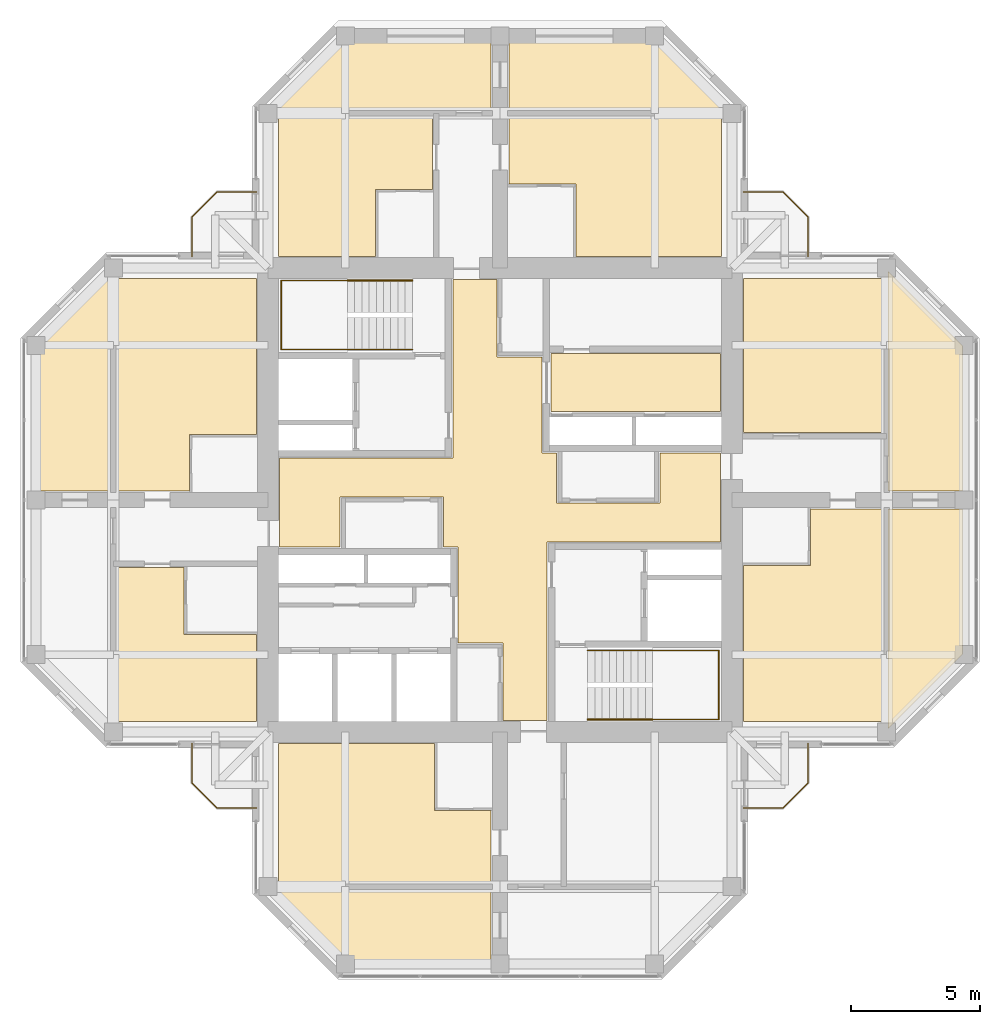
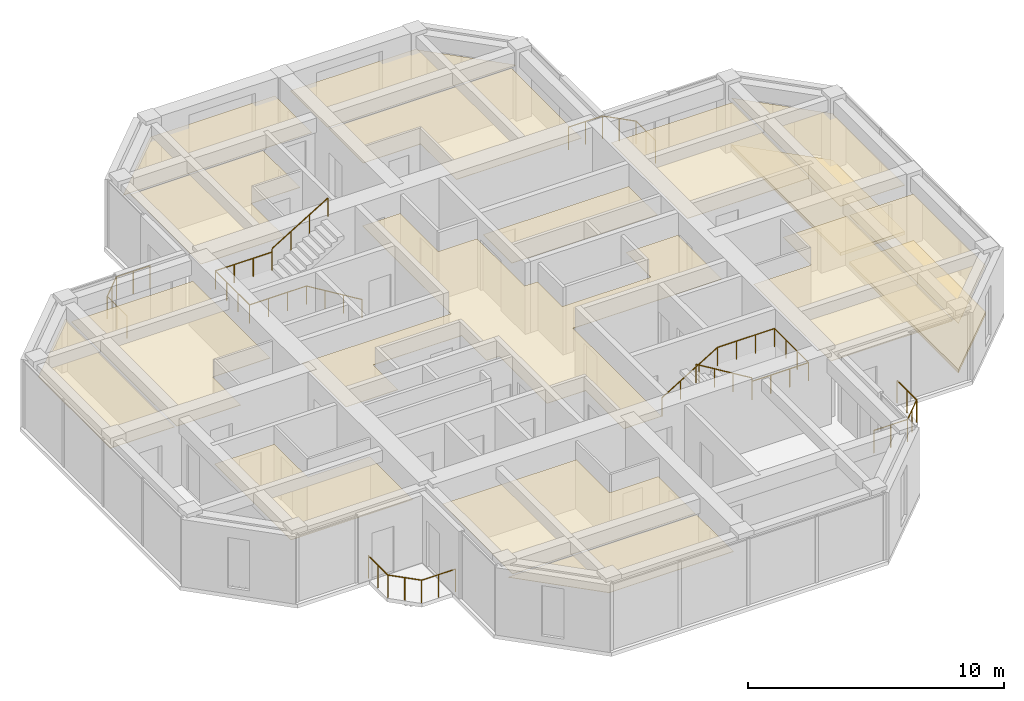
# One storey, part 13 of 13: 17 coverings, 8 railings.
"""IFC4 building model written with IfcOpenShell, lengths in metres."""

from ifc_helpers import new_model, si_unit, direction, frame, origin, origin_2d, place, context, subcontext, project, spatial, polyline, circle, outline, extrude, material, layer, layer_set, constituent, constituent_set, type_object, element, save


model = new_model("IFC4")

# Units and contexts
model_context = context("Model", 3, precision=1e-05, world=origin(), true_north=direction((0.0, 1.0)))
body_context = subcontext(model_context, "Body", "Model", "MODEL_VIEW")
ifc_project = project(units=[si_unit("LENGTHUNIT", "METRE"), si_unit("AREAUNIT", "SQUARE_METRE"), si_unit("VOLUMEUNIT", "CUBIC_METRE"), si_unit("PLANEANGLEUNIT", "RADIAN"), si_unit("MASSUNIT", "GRAM", prefix="KILO")], contexts=[model_context])

# Site, building, storey
site_placement = place(None, origin())
site = spatial("IfcSite", under=ifc_project, at=site_placement, CompositionType="ELEMENT")
building_placement = place(site_placement, origin())
building = spatial("IfcBuilding", under=site, at=building_placement, Name="Torre Cruceta", CompositionType="ELEMENT")
storey_placement = place(building_placement, frame((0.0, 0.0, 271.300048828125)))
storey = spatial("IfcBuildingStorey", under=building, at=storey_placement, Name="L70", CompositionType="ELEMENT", Elevation=271.300048828125)

# Railings
ifc_material_1 = material(Name="Stainless steel 1.4401", Category="steel")
ifc_constituent_1 = constituent(ifc_material_1, Name="Frame")
ifc_material_2 = material(Name="Laminated safety glass", Category="glass")
ifc_constituent_2 = constituent(ifc_material_2, Name="Infill")
ifc_constituent_set_1 = constituent_set(constituents=[ifc_constituent_1, ifc_constituent_2], Name="Stainless steel and laminated glass balustrade")
railing_type_1 = type_object("IfcRailingType", Name="BALCONY BALUSTRADE 1100", PredefinedType="BALUSTRADE", material=ifc_constituent_set_1)
railing_1_placement = place(storey_placement, frame((-9.449951171875, 11.949951171875, 0.0)))
element("IfcRailing", 1, at=railing_1_placement, inside=storey, type_object=railing_type_1, Name="BL1 balcony balustrade L70 N", PredefinedType="BALUSTRADE", context=body_context, shape_type="SweptSolid", body=[
    extrude(circle(Radius=0.02392578125, at=origin_2d()), frame((0.0, 0.0, 1.076171875), z_axis=(-1.0, 0.0, 0.0), x_axis=(0.0, -1.0, 0.0)), (0.0, 0.0, 1.0), 1.529296875),
    extrude(circle(Radius=0.02392578125, at=origin_2d()), frame((-1.529296875, 0.0, 1.076171875), z_axis=(-0.707106781187, -0.707106781187, 0.0), x_axis=(0.707106781187, -0.707106781187, 0.0)), (0.0, 0.0, 1.0), 1.372802734375),
    extrude(circle(Radius=0.02392578125, at=origin_2d()), frame((-2.5, -0.970703125, 1.076171875), z_axis=(0.0, -1.0, 0.0), x_axis=(1.0, 0.0, 0.0)), (0.0, 0.0, 1.0), 1.529296875),
    extrude(circle(Radius=0.02099609375, at=origin_2d()), origin(), (0.0, 0.0, 1.0), 1.052001953125),
    extrude(circle(Radius=0.02099609375, at=origin_2d()), frame((-0.7646484375, 0.0, 0.0)), (0.0, 0.0, 1.0), 1.052001953125),
    extrude(circle(Radius=0.02099609375, at=origin_2d()), frame((-1.529296875, 0.0, 0.0)), (0.0, 0.0, 1.0), 1.052001953125),
    extrude(circle(Radius=0.02099609375, at=origin_2d()), frame((-2.0146484375, -0.4853515625, 0.0)), (0.0, 0.0, 1.0), 1.052001953125),
    extrude(circle(Radius=0.02099609375, at=origin_2d()), frame((-2.5, -0.970703125, 0.0)), (0.0, 0.0, 1.0), 1.052001953125),
    extrude(circle(Radius=0.02099609375, at=origin_2d()), frame((-2.5, -1.7353515625, 0.0)), (0.0, 0.0, 1.0), 1.052001953125),
    extrude(circle(Radius=0.02099609375, at=origin_2d()), frame((-2.5, -2.5, 0.0)), (0.0, 0.0, 1.0), 1.052001953125),
])
railing_2_placement = place(storey_placement, frame((9.449951171875, 11.949951171875, 0.0)))
element("IfcRailing", 2, at=railing_2_placement, inside=storey, type_object=railing_type_1, Name="BL1 balcony balustrade L70 E", PredefinedType="BALUSTRADE", context=body_context, shape_type="SweptSolid", body=[
    extrude(circle(Radius=0.02392578125, at=origin_2d()), frame((0.0, 0.0, 1.076171875), z_axis=(1.0, 0.0, 0.0), x_axis=(0.0, 1.0, 0.0)), (0.0, 0.0, 1.0), 1.529296875),
    extrude(circle(Radius=0.02392578125, at=origin_2d()), frame((1.529296875, 0.0, 1.076171875), z_axis=(0.707106781187, -0.707106781187, 0.0), x_axis=(0.707106781187, 0.707106781187, 0.0)), (0.0, 0.0, 1.0), 1.372802734375),
    extrude(circle(Radius=0.02392578125, at=origin_2d()), frame((2.5, -0.970703125, 1.076171875), z_axis=(0.0, -1.0, 0.0), x_axis=(1.0, 0.0, 0.0)), (0.0, 0.0, 1.0), 1.529296875),
    extrude(circle(Radius=0.02099609375, at=origin_2d()), origin(), (0.0, 0.0, 1.0), 1.052001953125),
    extrude(circle(Radius=0.02099609375, at=origin_2d()), frame((0.7646484375, 0.0, 0.0)), (0.0, 0.0, 1.0), 1.052001953125),
    extrude(circle(Radius=0.02099609375, at=origin_2d()), frame((1.529296875, 0.0, 0.0)), (0.0, 0.0, 1.0), 1.052001953125),
    extrude(circle(Radius=0.02099609375, at=origin_2d()), frame((2.0146484375, -0.4853515625, 0.0)), (0.0, 0.0, 1.0), 1.052001953125),
    extrude(circle(Radius=0.02099609375, at=origin_2d()), frame((2.5, -0.970703125, 0.0)), (0.0, 0.0, 1.0), 1.052001953125),
    extrude(circle(Radius=0.02099609375, at=origin_2d()), frame((2.5, -1.7353515625, 0.0)), (0.0, 0.0, 1.0), 1.052001953125),
    extrude(circle(Radius=0.02099609375, at=origin_2d()), frame((2.5, -2.5, 0.0)), (0.0, 0.0, 1.0), 1.052001953125),
])
railing_3_placement = place(storey_placement, frame((9.449951171875, -11.949951171875, 0.0)))
element("IfcRailing", 3, at=railing_3_placement, inside=storey, type_object=railing_type_1, Name="BL1 balcony balustrade L70 S", PredefinedType="BALUSTRADE", context=body_context, shape_type="SweptSolid", body=[
    extrude(circle(Radius=0.02392578125, at=origin_2d()), frame((0.0, 0.0, 1.076171875), z_axis=(1.0, 0.0, 0.0), x_axis=(0.0, 1.0, 0.0)), (0.0, 0.0, 1.0), 1.529296875),
    extrude(circle(Radius=0.02392578125, at=origin_2d()), frame((1.529296875, 0.0, 1.076171875), z_axis=(0.707106781187, 0.707106781187, 0.0), x_axis=(-0.707106781187, 0.707106781187, 0.0)), (0.0, 0.0, 1.0), 1.372802734375),
    extrude(circle(Radius=0.02392578125, at=origin_2d()), frame((2.5, 0.970703125, 1.076171875), z_axis=(0.0, 1.0, 0.0), x_axis=(-1.0, 0.0, 0.0)), (0.0, 0.0, 1.0), 1.529296875),
    extrude(circle(Radius=0.02099609375, at=origin_2d()), origin(), (0.0, 0.0, 1.0), 1.052001953125),
    extrude(circle(Radius=0.02099609375, at=origin_2d()), frame((0.7646484375, 0.0, 0.0)), (0.0, 0.0, 1.0), 1.052001953125),
    extrude(circle(Radius=0.02099609375, at=origin_2d()), frame((1.529296875, 0.0, 0.0)), (0.0, 0.0, 1.0), 1.052001953125),
    extrude(circle(Radius=0.02099609375, at=origin_2d()), frame((2.0146484375, 0.4853515625, 0.0)), (0.0, 0.0, 1.0), 1.052001953125),
    extrude(circle(Radius=0.02099609375, at=origin_2d()), frame((2.5, 0.970703125, 0.0)), (0.0, 0.0, 1.0), 1.052001953125),
    extrude(circle(Radius=0.02099609375, at=origin_2d()), frame((2.5, 1.7353515625, 0.0)), (0.0, 0.0, 1.0), 1.052001953125),
    extrude(circle(Radius=0.02099609375, at=origin_2d()), frame((2.5, 2.5, 0.0)), (0.0, 0.0, 1.0), 1.052001953125),
])
railing_4_placement = place(storey_placement, frame((-9.449951171875, -11.949951171875, 0.0)))
element("IfcRailing", 4, at=railing_4_placement, inside=storey, type_object=railing_type_1, Name="BL1 balcony balustrade L70 W", PredefinedType="BALUSTRADE", context=body_context, shape_type="SweptSolid", body=[
    extrude(circle(Radius=0.02392578125, at=origin_2d()), frame((0.0, 0.0, 1.076171875), z_axis=(-1.0, 0.0, 0.0), x_axis=(0.0, -1.0, 0.0)), (0.0, 0.0, 1.0), 1.529296875),
    extrude(circle(Radius=0.02392578125, at=origin_2d()), frame((-1.529296875, 0.0, 1.076171875), z_axis=(-0.707106781187, 0.707106781187, 0.0), x_axis=(-0.707106781187, -0.707106781187, 0.0)), (0.0, 0.0, 1.0), 1.372802734375),
    extrude(circle(Radius=0.02392578125, at=origin_2d()), frame((-2.5, 0.970703125, 1.076171875), z_axis=(0.0, 1.0, 0.0), x_axis=(-1.0, 0.0, 0.0)), (0.0, 0.0, 1.0), 1.529296875),
    extrude(circle(Radius=0.02099609375, at=origin_2d()), origin(), (0.0, 0.0, 1.0), 1.052001953125),
    extrude(circle(Radius=0.02099609375, at=origin_2d()), frame((-0.7646484375, 0.0, 0.0)), (0.0, 0.0, 1.0), 1.052001953125),
    extrude(circle(Radius=0.02099609375, at=origin_2d()), frame((-1.529296875, 0.0, 0.0)), (0.0, 0.0, 1.0), 1.052001953125),
    extrude(circle(Radius=0.02099609375, at=origin_2d()), frame((-2.0146484375, 0.4853515625, 0.0)), (0.0, 0.0, 1.0), 1.052001953125),
    extrude(circle(Radius=0.02099609375, at=origin_2d()), frame((-2.5, 0.970703125, 0.0)), (0.0, 0.0, 1.0), 1.052001953125),
    extrude(circle(Radius=0.02099609375, at=origin_2d()), frame((-2.5, 1.7353515625, 0.0)), (0.0, 0.0, 1.0), 1.052001953125),
    extrude(circle(Radius=0.02099609375, at=origin_2d()), frame((-2.5, 2.5, 0.0)), (0.0, 0.0, 1.0), 1.052001953125),
])
ifc_material_3 = material(Name="Stainless steel 1.4401", Category="steel")
railing_type_2 = type_object("IfcRailingType", Name="HANDRAIL 900", PredefinedType="HANDRAIL", material=ifc_material_3)
railing_5_placement = place(storey_placement, frame((-3.39990234375, 5.8349609375, 0.169921875)))
element("IfcRailing", 5, at=railing_5_placement, inside=storey, type_object=railing_type_2, Name="Handrail HR1 ST1 L70", PredefinedType="HANDRAIL", context=body_context, shape_type="SweptSolid", body=[
    extrude(circle(Radius=0.02392578125, at=origin_2d()), frame((0.0, 0.0, 0.8759765625), z_axis=(-0.85478489116, 0.0, 0.518982456201), x_axis=(0.0, -1.0, 0.0)), (0.0, 0.0, 1.0), 2.9482421875),
    extrude(circle(Radius=0.02392578125, at=origin_2d()), frame((-2.52001953125, 0.0, 2.40576171875), z_axis=(-1.0, 0.0, 0.0), x_axis=(0.0, -1.0, 0.0)), (0.0, 0.0, 1.0), 2.570068359375),
    extrude(circle(Radius=0.02392578125, at=origin_2d()), frame((-5.090087890625, 0.0, 2.40576171875), z_axis=(0.0, 1.0, 0.0), x_axis=(-1.0, 0.0, 0.0)), (0.0, 0.0, 1.0), 2.679931640625),
    extrude(circle(Radius=0.02392578125, at=origin_2d()), frame((-5.090087890625, 2.679931640625, 2.40576171875), z_axis=(1.0, 0.0, 0.0), x_axis=(0.0, 1.0, 0.0)), (0.0, 0.0, 1.0), 2.570068359375),
    extrude(circle(Radius=0.02099609375, at=origin_2d()), origin(), (0.0, 0.0, 1.0), 0.851806640625),
    extrude(circle(Radius=0.02099609375, at=origin_2d()), frame((-0.840087890625, 0.0, 0.510009765625)), (0.0, 0.0, 1.0), 0.851806640625),
    extrude(circle(Radius=0.02099609375, at=origin_2d()), frame((-1.679931640625, 0.0, 1.02001953125)), (0.0, 0.0, 1.0), 0.851806640625),
    extrude(circle(Radius=0.02099609375, at=origin_2d()), frame((-2.52001953125, 0.0, 1.530029296875)), (0.0, 0.0, 1.0), 0.851806640625),
    extrude(circle(Radius=0.02099609375, at=origin_2d()), frame((-3.376708984375, 0.0, 1.530029296875)), (0.0, 0.0, 1.0), 0.851806640625),
    extrude(circle(Radius=0.02099609375, at=origin_2d()), frame((-4.2333984375, 0.0, 1.530029296875)), (0.0, 0.0, 1.0), 0.851806640625),
    extrude(circle(Radius=0.02099609375, at=origin_2d()), frame((-5.090087890625, 0.0, 1.530029296875)), (0.0, 0.0, 1.0), 0.851806640625),
    extrude(circle(Radius=0.02099609375, at=origin_2d()), frame((-5.090087890625, 0.893310546875, 1.530029296875)), (0.0, 0.0, 1.0), 0.851806640625),
    extrude(circle(Radius=0.02099609375, at=origin_2d()), frame((-5.090087890625, 1.78662109375, 1.530029296875)), (0.0, 0.0, 1.0), 0.851806640625),
    extrude(circle(Radius=0.02099609375, at=origin_2d()), frame((-5.090087890625, 2.679931640625, 1.530029296875)), (0.0, 0.0, 1.0), 0.851806640625),
    extrude(circle(Radius=0.02099609375, at=origin_2d()), frame((-4.2333984375, 2.679931640625, 1.530029296875)), (0.0, 0.0, 1.0), 0.851806640625),
    extrude(circle(Radius=0.02099609375, at=origin_2d()), frame((-3.376708984375, 2.679931640625, 1.530029296875)), (0.0, 0.0, 1.0), 0.851806640625),
    extrude(circle(Radius=0.02099609375, at=origin_2d()), frame((-2.52001953125, 2.679931640625, 1.530029296875)), (0.0, 0.0, 1.0), 0.851806640625),
])
railing_6_placement = place(storey_placement, frame((-5.919921875, 8.514892578125, 1.869873046875)))
element("IfcRailing", 6, at=railing_6_placement, inside=storey, type_object=railing_type_2, Name="Handrail HR1 ST1 L70", PredefinedType="HANDRAIL", context=body_context, shape_type="SweptSolid", body=[
    extrude(circle(Radius=0.02392578125, at=origin_2d()), frame((0.0, 0.0, 0.8759765625), z_axis=(0.85478489116, 0.0, 0.518982456201), x_axis=(0.0, 1.0, 0.0)), (0.0, 0.0, 1.0), 2.9482421875),
    extrude(circle(Radius=0.02099609375, at=origin_2d()), origin(), (0.0, 0.0, 1.0), 0.851806640625),
    extrude(circle(Radius=0.02099609375, at=origin_2d()), frame((0.840087890625, 0.0, 0.510009765625)), (0.0, 0.0, 1.0), 0.851806640625),
    extrude(circle(Radius=0.02099609375, at=origin_2d()), frame((1.679931640625, 0.0, 1.02001953125)), (0.0, 0.0, 1.0), 0.851806640625),
    extrude(circle(Radius=0.02099609375, at=origin_2d()), frame((2.52001953125, 0.0, 1.530029296875)), (0.0, 0.0, 1.0), 0.851806640625),
])
railing_7_placement = place(storey_placement, frame((3.39990234375, -5.8349609375, 0.169921875)))
element("IfcRailing", 7, at=railing_7_placement, inside=storey, type_object=railing_type_2, Name="Handrail HR1 ST2 L70", PredefinedType="HANDRAIL", context=body_context, shape_type="SweptSolid", body=[
    extrude(circle(Radius=0.02392578125, at=origin_2d()), frame((0.0, 0.0, 0.8759765625), z_axis=(0.85478489116, 0.0, 0.518982456201), x_axis=(0.0, 1.0, 0.0)), (0.0, 0.0, 1.0), 2.9482421875),
    extrude(circle(Radius=0.02392578125, at=origin_2d()), frame((2.52001953125, 0.0, 2.40576171875), z_axis=(1.0, 0.0, 0.0), x_axis=(0.0, 1.0, 0.0)), (0.0, 0.0, 1.0), 2.570068359375),
    extrude(circle(Radius=0.02392578125, at=origin_2d()), frame((5.090087890625, 0.0, 2.40576171875), z_axis=(0.0, -1.0, 0.0), x_axis=(1.0, 0.0, 0.0)), (0.0, 0.0, 1.0), 2.679931640625),
    extrude(circle(Radius=0.02392578125, at=origin_2d()), frame((5.090087890625, -2.679931640625, 2.40576171875), z_axis=(-1.0, 0.0, 0.0), x_axis=(0.0, -1.0, 0.0)), (0.0, 0.0, 1.0), 2.570068359375),
    extrude(circle(Radius=0.02099609375, at=origin_2d()), origin(), (0.0, 0.0, 1.0), 0.851806640625),
    extrude(circle(Radius=0.02099609375, at=origin_2d()), frame((0.840087890625, 0.0, 0.510009765625)), (0.0, 0.0, 1.0), 0.851806640625),
    extrude(circle(Radius=0.02099609375, at=origin_2d()), frame((1.679931640625, 0.0, 1.02001953125)), (0.0, 0.0, 1.0), 0.851806640625),
    extrude(circle(Radius=0.02099609375, at=origin_2d()), frame((2.52001953125, 0.0, 1.530029296875)), (0.0, 0.0, 1.0), 0.851806640625),
    extrude(circle(Radius=0.02099609375, at=origin_2d()), frame((3.376708984375, 0.0, 1.530029296875)), (0.0, 0.0, 1.0), 0.851806640625),
    extrude(circle(Radius=0.02099609375, at=origin_2d()), frame((4.2333984375, 0.0, 1.530029296875)), (0.0, 0.0, 1.0), 0.851806640625),
    extrude(circle(Radius=0.02099609375, at=origin_2d()), frame((5.090087890625, 0.0, 1.530029296875)), (0.0, 0.0, 1.0), 0.851806640625),
    extrude(circle(Radius=0.02099609375, at=origin_2d()), frame((5.090087890625, -0.893310546875, 1.530029296875)), (0.0, 0.0, 1.0), 0.851806640625),
    extrude(circle(Radius=0.02099609375, at=origin_2d()), frame((5.090087890625, -1.78662109375, 1.530029296875)), (0.0, 0.0, 1.0), 0.851806640625),
    extrude(circle(Radius=0.02099609375, at=origin_2d()), frame((5.090087890625, -2.679931640625, 1.530029296875)), (0.0, 0.0, 1.0), 0.851806640625),
    extrude(circle(Radius=0.02099609375, at=origin_2d()), frame((4.2333984375, -2.679931640625, 1.530029296875)), (0.0, 0.0, 1.0), 0.851806640625),
    extrude(circle(Radius=0.02099609375, at=origin_2d()), frame((3.376708984375, -2.679931640625, 1.530029296875)), (0.0, 0.0, 1.0), 0.851806640625),
    extrude(circle(Radius=0.02099609375, at=origin_2d()), frame((2.52001953125, -2.679931640625, 1.530029296875)), (0.0, 0.0, 1.0), 0.851806640625),
])
railing_8_placement = place(storey_placement, frame((5.919921875, -8.514892578125, 1.869873046875)))
element("IfcRailing", 8, at=railing_8_placement, inside=storey, type_object=railing_type_2, Name="Handrail HR1 ST2 L70", PredefinedType="HANDRAIL", context=body_context, shape_type="SweptSolid", body=[
    extrude(circle(Radius=0.02392578125, at=origin_2d()), frame((0.0, 0.0, 0.8759765625), z_axis=(-0.85478489116, 0.0, 0.518982456201), x_axis=(0.0, -1.0, 0.0)), (0.0, 0.0, 1.0), 2.9482421875),
    extrude(circle(Radius=0.02099609375, at=origin_2d()), origin(), (0.0, 0.0, 1.0), 0.851806640625),
    extrude(circle(Radius=0.02099609375, at=origin_2d()), frame((-0.840087890625, 0.0, 0.510009765625)), (0.0, 0.0, 1.0), 0.851806640625),
    extrude(circle(Radius=0.02099609375, at=origin_2d()), frame((-1.679931640625, 0.0, 1.02001953125)), (0.0, 0.0, 1.0), 0.851806640625),
    extrude(circle(Radius=0.02099609375, at=origin_2d()), frame((-2.52001953125, 0.0, 1.530029296875)), (0.0, 0.0, 1.0), 0.851806640625),
])

# Coverings
ifc_material_4 = material(Name="Steel DX51D", Category="steel")
ifc_constituent_3 = constituent(ifc_material_4, Name="Panel casing")
ifc_material_5 = material(Name="Calcium sulphate", Category="gypsum")
ifc_constituent_4 = constituent(ifc_material_5, Name="Panel core")
ifc_constituent_set_2 = constituent_set(constituents=[ifc_constituent_3, ifc_constituent_4], Name="Raised access floor panel")
covering_type_1 = type_object("IfcCoveringType", Name="RAISED ACCESS FLOOR 150", PredefinedType="FLOORING", material=ifc_constituent_set_2)
covering_1_placement = place(storey_placement, origin())
element("IfcCovering", 9, at=covering_1_placement, inside=storey, type_object=covering_type_1, Name="Raised floor L70-036", PredefinedType="FLOORING", context=body_context, shape_type="SweptSolid", body=[
    extrude(outline(polyline([(17.949951171875, 5.979248046875), (17.949951171875, 0.35009765625), (15.050048828125, 0.35009765625), (15.050048828125, 8.87939453125), (17.949951171875, 5.979248046875)])), origin(), (0.0, 0.0, 1.0), 0.14990234375),
])
covering_2_placement = place(storey_placement, origin())
element("IfcCovering", 10, at=covering_2_placement, inside=storey, type_object=covering_type_1, Name="Raised floor L70-037", PredefinedType="FLOORING", context=body_context, shape_type="SweptSolid", body=[
    extrude(outline(polyline([(15.050048828125, -8.87939453125), (15.050048828125, -0.35009765625), (17.949951171875, -0.35009765625), (17.949951171875, -5.979248046875), (15.050048828125, -8.87939453125)])), origin(), (0.0, 0.0, 1.0), 0.14990234375),
])
ifc_material_6 = material(Name="Mineral fibre ceiling tile", Category="gypsum")
ifc_layer = layer(ifc_material_6, 0.02001953125)
ifc_layer_set = layer_set([ifc_layer], Name="Mineral fibre ceiling tile")
covering_type_2 = type_object("IfcCoveringType", Name="SUSPENDED CEILING 20", PredefinedType="CEILING", material=ifc_layer_set)
covering_3_placement = place(storey_placement, frame((0.0, 0.0, 2.349853515625)))
element("IfcCovering", 11, at=covering_3_placement, inside=storey, type_object=covering_type_2, Name="Ceiling L70-002", PredefinedType="CEILING", context=body_context, shape_type="SweptSolid", body=[
    extrude(outline(polyline([(1.824951171875, -8.550048828125), (0.125, -8.550048828125), (0.125, -5.550048828125), (-1.625, -5.550048828125), (-1.625, -1.824951171875), (-2.199951171875, -1.824951171875), (-2.199951171875, 0.125), (-6.199951171875, 0.125), (-6.199951171875, -1.824951171875), (-8.550048828125, -1.824951171875), (-8.550048828125, 1.625), (-1.824951171875, 1.625), (-1.824951171875, 8.550048828125), (-0.125, 8.550048828125), (-0.125, 5.550048828125), (1.625, 5.550048828125), (1.625, 1.824951171875), (2.199951171875, 1.824951171875), (2.199951171875, -0.125), (6.199951171875, -0.125), (6.199951171875, 1.824951171875), (8.550048828125, 1.824951171875), (8.550048828125, -1.625), (1.824951171875, -1.625), (1.824951171875, -8.550048828125)])), origin(), (0.0, 0.0, 1.0), 0.02001953125),
])
covering_4_placement = place(storey_placement, frame((0.0, 0.0, 2.349853515625)))
element("IfcCovering", 12, at=covering_4_placement, inside=storey, type_object=covering_type_2, Name="Ceiling L70-007", PredefinedType="CEILING", context=body_context, shape_type="SweptSolid", body=[
    extrude(outline(polyline([(1.97509765625, 3.425048828125), (1.97509765625, 5.675048828125), (8.550048828125, 5.675048828125), (8.550048828125, 3.425048828125), (1.97509765625, 3.425048828125)])), origin(), (0.0, 0.0, 1.0), 0.02001953125),
])
covering_5_placement = place(storey_placement, frame((0.0, 0.0, 2.349853515625)))
element("IfcCovering", 13, at=covering_5_placement, inside=storey, type_object=covering_type_2, Name="Ceiling L70-026", PredefinedType="CEILING", context=body_context, shape_type="SweptSolid", body=[
    extrude(outline(polyline([(-8.60009765625, 9.449951171875), (-8.60009765625, 14.949951171875), (-2.625, 14.949951171875), (-2.625, 12.050048828125), (-4.824951171875, 12.050048828125), (-4.824951171875, 9.449951171875), (-8.60009765625, 9.449951171875)])), origin(), (0.0, 0.0, 1.0), 0.02001953125),
])
covering_6_placement = place(storey_placement, frame((0.0, 0.0, 2.349853515625)))
element("IfcCovering", 14, at=covering_6_placement, inside=storey, type_object=covering_type_2, Name="Ceiling L70-028", PredefinedType="CEILING", context=body_context, shape_type="SweptSolid", body=[
    extrude(outline(polyline([(0.35009765625, 14.949951171875), (8.60009765625, 14.949951171875), (8.60009765625, 9.449951171875), (2.949951171875, 9.449951171875), (2.949951171875, 12.25), (0.35009765625, 12.25), (0.35009765625, 14.949951171875)])), origin(), (0.0, 0.0, 1.0), 0.02001953125),
])
covering_7_placement = place(storey_placement, frame((0.0, 0.0, 2.349853515625)))
element("IfcCovering", 15, at=covering_7_placement, inside=storey, type_object=covering_type_2, Name="Ceiling L70-030", PredefinedType="CEILING", context=body_context, shape_type="SweptSolid", body=[
    extrude(outline(polyline([(-5.979248046875, 17.949951171875), (-0.35009765625, 17.949951171875), (-0.35009765625, 15.050048828125), (-8.87939453125, 15.050048828125), (-5.979248046875, 17.949951171875)])), origin(), (0.0, 0.0, 1.0), 0.02001953125),
])
covering_8_placement = place(storey_placement, frame((0.0, 0.0, 2.349853515625)))
element("IfcCovering", 16, at=covering_8_placement, inside=storey, type_object=covering_type_2, Name="Ceiling L70-031", PredefinedType="CEILING", context=body_context, shape_type="SweptSolid", body=[
    extrude(outline(polyline([(8.87939453125, 15.050048828125), (0.35009765625, 15.050048828125), (0.35009765625, 17.949951171875), (5.979248046875, 17.949951171875), (8.87939453125, 15.050048828125)])), origin(), (0.0, 0.0, 1.0), 0.02001953125),
])
covering_9_placement = place(storey_placement, frame((0.0, 0.0, 2.349853515625)))
element("IfcCovering", 17, at=covering_9_placement, inside=storey, type_object=covering_type_2, Name="Ceiling L70-033", PredefinedType="CEILING", context=body_context, shape_type="SweptSolid", body=[
    extrude(outline(polyline([(9.449951171875, 2.625), (9.449951171875, 8.60009765625), (14.949951171875, 8.60009765625), (14.949951171875, 2.625), (9.449951171875, 2.625)])), origin(), (0.0, 0.0, 1.0), 0.02001953125),
])
covering_10_placement = place(storey_placement, frame((0.0, 0.0, 2.349853515625)))
element("IfcCovering", 18, at=covering_10_placement, inside=storey, type_object=covering_type_2, Name="Ceiling L70-034", PredefinedType="CEILING", context=body_context, shape_type="SweptSolid", body=[
    extrude(outline(polyline([(14.949951171875, -0.35009765625), (14.949951171875, -8.60009765625), (9.449951171875, -8.60009765625), (9.449951171875, -2.550048828125), (12.050048828125, -2.550048828125), (12.050048828125, -0.35009765625), (14.949951171875, -0.35009765625)])), origin(), (0.0, 0.0, 1.0), 0.02001953125),
])
covering_11_placement = place(storey_placement, frame((0.0, 0.0, 2.349853515625)))
element("IfcCovering", 19, at=covering_11_placement, inside=storey, type_object=covering_type_2, Name="Ceiling L70-036", PredefinedType="CEILING", context=body_context, shape_type="SweptSolid", body=[
    extrude(outline(polyline([(17.949951171875, 5.979248046875), (17.949951171875, 0.35009765625), (15.050048828125, 0.35009765625), (15.050048828125, 8.87939453125), (17.949951171875, 5.979248046875)])), origin(), (0.0, 0.0, 1.0), 0.02001953125),
])
covering_12_placement = place(storey_placement, frame((0.0, 0.0, 2.349853515625)))
element("IfcCovering", 20, at=covering_12_placement, inside=storey, type_object=covering_type_2, Name="Ceiling L70-037", PredefinedType="CEILING", context=body_context, shape_type="SweptSolid", body=[
    extrude(outline(polyline([(15.050048828125, -8.87939453125), (15.050048828125, -0.35009765625), (17.949951171875, -0.35009765625), (17.949951171875, -5.979248046875), (15.050048828125, -8.87939453125)])), origin(), (0.0, 0.0, 1.0), 0.02001953125),
])
covering_13_placement = place(storey_placement, frame((0.0, 0.0, 2.349853515625)))
element("IfcCovering", 21, at=covering_13_placement, inside=storey, type_object=covering_type_2, Name="Ceiling L70-040", PredefinedType="CEILING", context=body_context, shape_type="SweptSolid", body=[
    extrude(outline(polyline([(-0.35009765625, -14.949951171875), (-8.60009765625, -14.949951171875), (-8.60009765625, -9.449951171875), (-2.550048828125, -9.449951171875), (-2.550048828125, -12.050048828125), (-0.35009765625, -12.050048828125), (-0.35009765625, -14.949951171875)])), origin(), (0.0, 0.0, 1.0), 0.02001953125),
])
covering_14_placement = place(storey_placement, frame((0.0, 0.0, 2.349853515625)))
element("IfcCovering", 22, at=covering_14_placement, inside=storey, type_object=covering_type_2, Name="Ceiling L70-043", PredefinedType="CEILING", context=body_context, shape_type="SweptSolid", body=[
    extrude(outline(polyline([(-8.87939453125, -15.050048828125), (-0.35009765625, -15.050048828125), (-0.35009765625, -17.949951171875), (-5.979248046875, -17.949951171875), (-8.87939453125, -15.050048828125)])), origin(), (0.0, 0.0, 1.0), 0.02001953125),
])
covering_15_placement = place(storey_placement, frame((0.0, 0.0, 2.349853515625)))
element("IfcCovering", 23, at=covering_15_placement, inside=storey, type_object=covering_type_2, Name="Ceiling L70-045", PredefinedType="CEILING", context=body_context, shape_type="SweptSolid", body=[
    extrude(outline(polyline([(-9.449951171875, -8.60009765625), (-14.949951171875, -8.60009765625), (-14.949951171875, -2.625), (-12.25, -2.625), (-12.25, -5.22509765625), (-9.449951171875, -5.22509765625), (-9.449951171875, -8.60009765625)])), origin(), (0.0, 0.0, 1.0), 0.02001953125),
])
covering_16_placement = place(storey_placement, frame((0.0, 0.0, 2.349853515625)))
element("IfcCovering", 24, at=covering_16_placement, inside=storey, type_object=covering_type_2, Name="Ceiling L70-047", PredefinedType="CEILING", context=body_context, shape_type="SweptSolid", body=[
    extrude(outline(polyline([(-14.949951171875, 0.35009765625), (-14.949951171875, 8.60009765625), (-9.449951171875, 8.60009765625), (-9.449951171875, 2.550048828125), (-12.050048828125, 2.550048828125), (-12.050048828125, 0.35009765625), (-14.949951171875, 0.35009765625)])), origin(), (0.0, 0.0, 1.0), 0.02001953125),
])
covering_17_placement = place(storey_placement, frame((0.0, 0.0, 2.349853515625)))
element("IfcCovering", 25, at=covering_17_placement, inside=storey, type_object=covering_type_2, Name="Ceiling L70-050", PredefinedType="CEILING", context=body_context, shape_type="SweptSolid", body=[
    extrude(outline(polyline([(-15.050048828125, 8.87939453125), (-15.050048828125, 0.35009765625), (-17.949951171875, 0.35009765625), (-17.949951171875, 5.979248046875), (-15.050048828125, 8.87939453125)])), origin(), (0.0, 0.0, 1.0), 0.02001953125),
])

save(model, "model.ifc")
